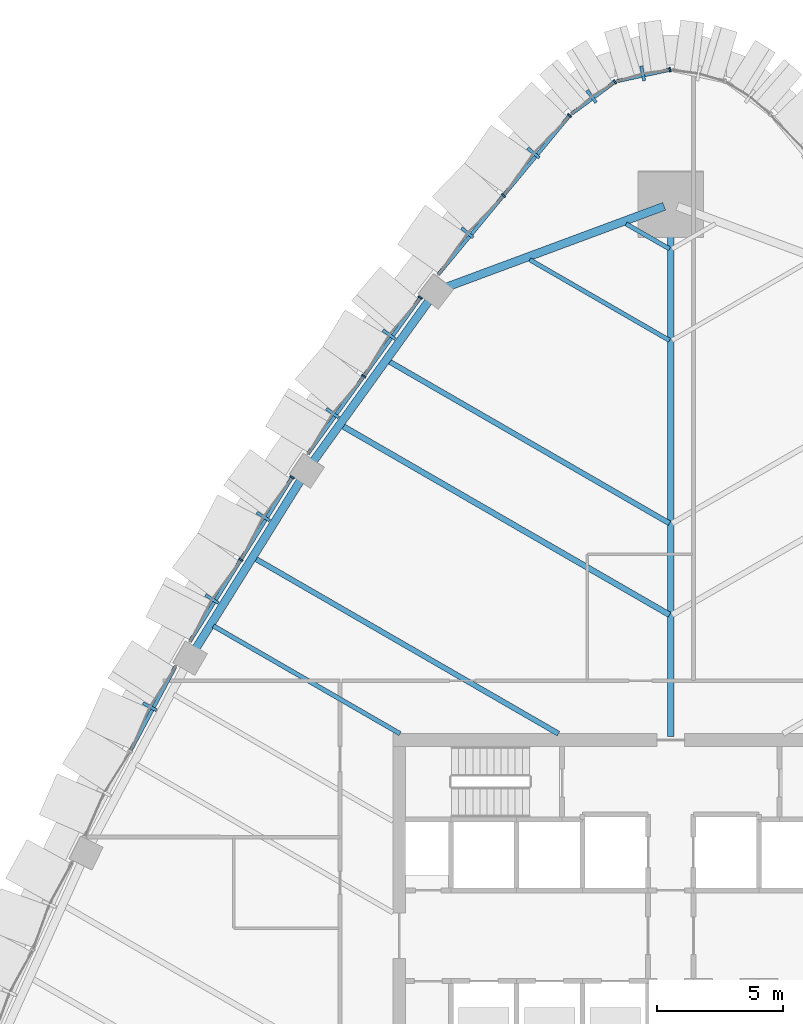
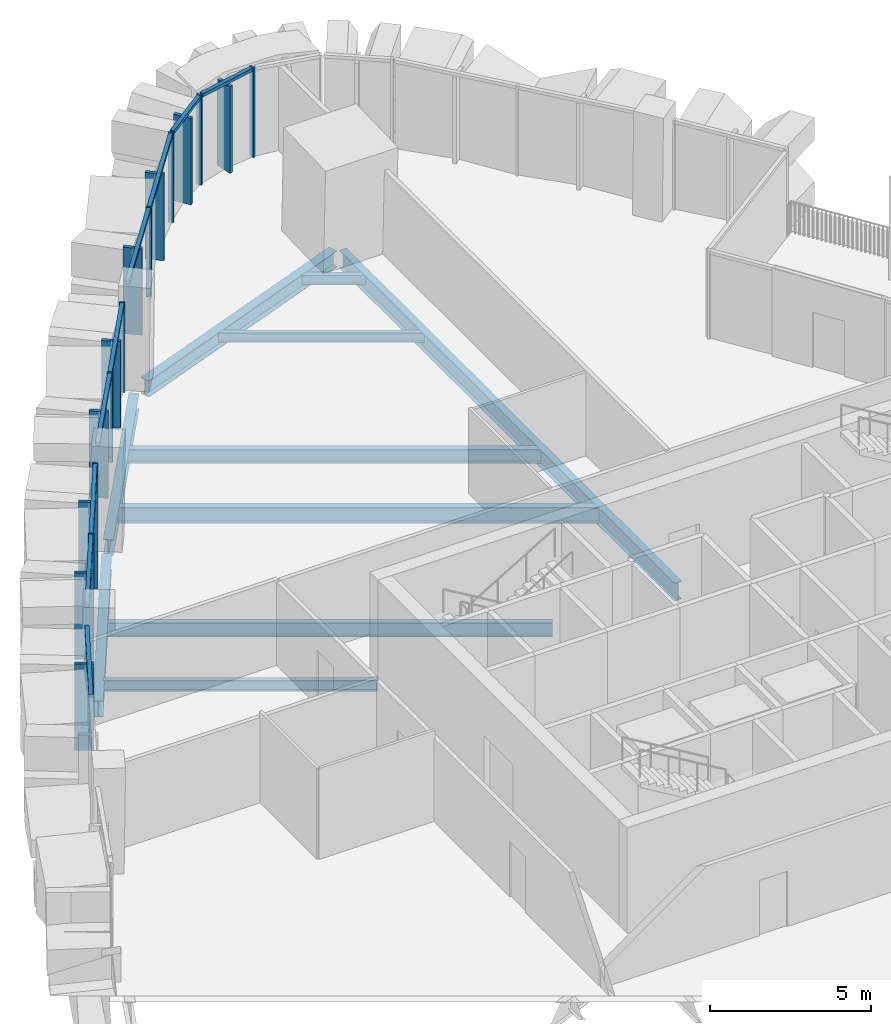
# One storey, part 6 of 20: 26 members, 10 beams, 6 elements without a shape of their own.
"""IFC4 building model written with IfcOpenShell, lengths in metres."""

import ifcopenshell
import ifcopenshell.guid

model = None  # the IFC model being written
_history = None  # IfcOwnerHistory: only IFC2X3 demands one
_inside = {}  # id of a spatial element -> (the spatial element, [elements in it])
_under = {}  # id of a project, library or spatial element -> (it, [spatial elements below it])
_declared = {}  # id of a project -> (the project, [libraries it declares])
_typed = {}  # id of a type object -> (the type object, [elements of that type])
_made_of = {}  # id of a material, layer set ... -> (it, [elements and type objects made of it])


def new_model(schema):
    """Start an empty IFC model of exactly this schema.

    Asked for "IFC4X3", IfcOpenShell would pick the latest addendum, in which some entities
    have other attributes; the version numbers below select the first issue.
    IFC2X3 requires an IfcOwnerHistory on every rooted entity: one is made here for all.
    """
    global model, _history
    if schema == "IFC4X3":
        model = ifcopenshell.file(schema_version=(4, 3, 0, 0))
    else:
        model = ifcopenshell.file(schema=schema)
    _inside.clear()
    _under.clear()
    _declared.clear()
    _typed.clear()
    _made_of.clear()
    _history = None
    if model.schema == "IFC2X3":
        org = make("IfcOrganization", Name="unknown")
        user = make(
            "IfcPersonAndOrganization",
            ThePerson=make("IfcPerson", FamilyName="unknown"),
            TheOrganization=org,
        )
        app = make(
            "IfcApplication",
            ApplicationDeveloper=org,
            Version="unknown",
            ApplicationFullName="unknown",
            ApplicationIdentifier="unknown",
        )
        _history = make(
            "IfcOwnerHistory",
            OwningUser=user,
            OwningApplication=app,
            ChangeAction="ADDED",
            CreationDate=0,
        )
    return model


def make(cls, **values):
    """One entity of the class cls with the attributes given. An attribute that is None is left unset."""
    return model.create_entity(
        cls, **{name: value for name, value in values.items() if value is not None}
    )


def rooted(cls, **values):
    """An entity with a GlobalId (a new one), such as an element, a storey or a relation."""
    return make(cls, GlobalId=ifcopenshell.guid.new(), OwnerHistory=_history, **values)


def si_unit(unit_type, name, prefix=None):
    """IfcSIUnit, for example si_unit("LENGTHUNIT", "METRE", prefix="MILLI")."""
    return make("IfcSIUnit", UnitType=unit_type, Prefix=prefix, Name=name)


def assignment(units):
    """IfcUnitAssignment: the units of a project."""
    return None if units is None else make("IfcUnitAssignment", Units=units)


def point(xyz):
    """IfcCartesianPoint."""
    return None if xyz is None else make("IfcCartesianPoint", Coordinates=xyz)


def direction(xyz):
    """IfcDirection."""
    return None if xyz is None else make("IfcDirection", DirectionRatios=xyz)


def frame(location, z_axis=None, x_axis=None):
    """IfcAxis2Placement3D, a coordinate frame: its origin and axes. An axis left out is left unset."""
    return make(
        "IfcAxis2Placement3D",
        Location=point(location),
        Axis=direction(z_axis),
        RefDirection=direction(x_axis),
    )


def frame_2d(location, x_axis=None):
    """IfcAxis2Placement2D, a coordinate frame in the plane: its origin and x axis."""
    return make(
        "IfcAxis2Placement2D", Location=point(location), RefDirection=direction(x_axis)
    )


def origin():
    """The frame at (0, 0, 0) with its axes left unset."""
    return frame((0.0, 0.0, 0.0))


def origin_2d():
    """The frame at (0, 0) in the plane with its x axis left unset."""
    return frame_2d((0.0, 0.0))


def place(relative_to, where):
    """IfcLocalPlacement: puts the frame where relative to a parent placement (None: the world)."""
    return make(
        "IfcLocalPlacement", PlacementRelTo=relative_to, RelativePlacement=where
    )


def context(
    kind, dimensions, precision=None, world=None, true_north=None, identifier=None
):
    """IfcGeometricRepresentationContext, for example the 3D "Model" context."""
    return make(
        "IfcGeometricRepresentationContext",
        ContextIdentifier=identifier,
        ContextType=kind,
        CoordinateSpaceDimension=dimensions,
        Precision=precision,
        WorldCoordinateSystem=world,
        TrueNorth=true_north,
    )


def subcontext(parent, identifier, kind, view, scale=None):
    """IfcGeometricRepresentationSubContext, for example "Body" below "Model"."""
    return make(
        "IfcGeometricRepresentationSubContext",
        ContextIdentifier=identifier,
        ContextType=kind,
        ParentContext=parent,
        TargetScale=scale,
        TargetView=view,
    )


def project(units=None, contexts=None):
    """IfcProject with its units and contexts."""
    return rooted(
        "IfcProject",
        Name="project",
        RepresentationContexts=contexts,
        UnitsInContext=assignment(units),
    )


def spatial(cls, under=None, at=None, **own):
    """A site, building, storey or space (cls), placed at a placement, below another one or the project."""
    s = rooted(cls, ObjectPlacement=at, **own)
    if under is not None:
        _under.setdefault(under.id(), (under, []))[1].append(s)
    return s


def profile(cls, at=None, kind="AREA", **sizes):
    """A parametric profile (cls). Its sizes go by their IFC names, for example OverallWidth=200.0."""
    return make(cls, ProfileType=kind, Position=at, **sizes)


def rectangle(**sizes):
    """IfcRectangleProfileDef."""
    return profile("IfcRectangleProfileDef", **sizes)


def i_section(**sizes):
    """IfcIShapeProfileDef."""
    return profile("IfcIShapeProfileDef", **sizes)


def extrude(swept, where, along, depth):
    """IfcExtrudedAreaSolid: the profile swept, set in the frame where, extruded along a direction by depth."""
    return make(
        "IfcExtrudedAreaSolid",
        SweptArea=swept,
        Position=where,
        ExtrudedDirection=direction(along),
        Depth=depth,
    )


def shape(context_of_items, identifier, shape_type, items):
    """IfcShapeRepresentation: the items that make up one representation, for example the "Body"."""
    return make(
        "IfcShapeRepresentation",
        ContextOfItems=context_of_items,
        RepresentationIdentifier=identifier,
        RepresentationType=shape_type,
        Items=items,
    )


def material(Name=None, Category=None):
    """IfcMaterial."""
    return make("IfcMaterial", Name=Name, Category=Category)


def layer(
    of_material, thickness, ventilated=None, Name=None, Category=None, Priority=None
):
    """IfcMaterialLayer: one layer of a wall or slab, of a material (None: an air gap)."""
    return make(
        "IfcMaterialLayer",
        Material=of_material,
        LayerThickness=thickness,
        IsVentilated=ventilated,
        Name=Name,
        Category=Category,
        Priority=Priority,
    )


def layer_set(layers, Name=None):
    """IfcMaterialLayerSet."""
    return make("IfcMaterialLayerSet", MaterialLayers=layers, LayerSetName=Name)


def material_profile(
    of_material, cross_section, Name=None, Category=None, Priority=None
):
    """IfcMaterialProfile: a cross section and its material."""
    return make(
        "IfcMaterialProfile",
        Name=Name,
        Material=of_material,
        Profile=cross_section,
        Priority=Priority,
        Category=Category,
    )


def profile_set(profiles, Name=None, composite=None):
    """IfcMaterialProfileSet."""
    return make(
        "IfcMaterialProfileSet",
        Name=Name,
        MaterialProfiles=profiles,
        CompositeProfile=composite,
    )


def made_of(thing, what):
    """Note that an element or type object is made of a material, layer set ...; save() writes the relation."""
    if what is not None:
        _made_of.setdefault(what.id(), (what, []))[1].append(thing)
    return thing


def type_object(cls, material=None, **own):
    """A type object (cls), such as IfcWallType, which elements share."""
    return made_of(rooted(cls, **own), material)


def element(
    cls,
    number,
    at=None,
    inside=None,
    cuts=None,
    type_object=None,
    material=None,
    context=None,
    identifier="Body",
    shape_type=None,
    held_by="IfcProductDefinitionShape",
    body=None,
    shapes=None,
    **own,
):
    """One element of the class cls, such as IfcWall. Its Tag is "e" and its number.

    at: its placement. inside: the storey or other place that contains it. cuts: it is an
    opening in that element (IfcRelVoidsElement). A single representation is given by context,
    identifier, shape_type and body (its items); several are given by shapes. held_by: the class
    of the entity that holds the representations. save() writes the other relations.
    """
    e = rooted(cls, Tag="e%d" % number, ObjectPlacement=at, **own)
    if body is not None:
        shapes = [shape(context, identifier, shape_type, body)]
    if shapes is not None:
        e.Representation = make(held_by, Representations=shapes)
    if inside is not None:
        _inside.setdefault(inside.id(), (inside, []))[1].append(e)
    if cuts is not None:
        rooted(
            "IfcRelVoidsElement", RelatingBuildingElement=cuts, RelatedOpeningElement=e
        )
    if type_object is not None:
        _typed.setdefault(type_object.id(), (type_object, []))[1].append(e)
    return made_of(e, material)


def aggregate(whole, parts):
    """IfcRelAggregates: a whole, such as a stair, and the parts it consists of."""
    return rooted("IfcRelAggregates", RelatingObject=whole, RelatedObjects=parts)


def save(model, path):
    """Write the relations noted so far, then the file.

    IfcRelAggregates (storeys below a building ...), IfcRelContainedInSpatialStructure (elements
    in a storey), IfcRelDefinesByType, IfcRelAssociatesMaterial and IfcRelDeclares: one each for
    every whole, place, type object, material and project.
    """
    for whole, parts in _under.values():
        aggregate(whole, parts)
    for where, things in _inside.values():
        rooted(
            "IfcRelContainedInSpatialStructure",
            RelatedElements=things,
            RelatingStructure=where,
        )
    for kind, things in _typed.values():
        rooted("IfcRelDefinesByType", RelatedObjects=things, RelatingType=kind)
    for what, things in _made_of.values():
        rooted("IfcRelAssociatesMaterial", RelatedObjects=things, RelatingMaterial=what)
    for by, libraries in _declared.values():
        rooted("IfcRelDeclares", RelatingContext=by, RelatedDefinitions=libraries)
    model.write(path)


model = new_model("IFC4")

# Units and contexts
model_context = context("Model", 3, precision=1e-05, world=origin(), true_north=direction((0.0, 1.0)))
body_context = subcontext(model_context, "Body", "Model", "MODEL_VIEW")
ifc_project = project(units=[si_unit("LENGTHUNIT", "METRE"), si_unit("AREAUNIT", "SQUARE_METRE"), si_unit("VOLUMEUNIT", "CUBIC_METRE"), si_unit("PLANEANGLEUNIT", "RADIAN"), si_unit("MASSUNIT", "GRAM", prefix="KILO")], contexts=[model_context])

# Site, building, storey
site_placement = place(None, origin())
site = spatial("IfcSite", under=ifc_project, at=site_placement, CompositionType="ELEMENT")
building_placement = place(site_placement, origin())
building = spatial("IfcBuilding", under=site, at=building_placement, Name="Sierra Prisma Convention Tower", CompositionType="ELEMENT")
storey_placement = place(building_placement, frame((0.0, 0.0, 125.800048828125)))
storey = spatial("IfcBuildingStorey", under=building, at=storey_placement, Name="L26", CompositionType="ELEMENT", Elevation=125.800048828125)

# Curtain wall, member
ifc_material_1 = material(Name="Aluminium and glass curtain wall", Category="aluminium")
ifc_layer = layer(ifc_material_1, 0.179931640625)
ifc_layer_set = layer_set([ifc_layer], Name="CW-2 Faceted crystal curtain wall")
curtain_wall_type = type_object("IfcCurtainWallType", Name="CW-2 Faceted crystal curtain wall", PredefinedType="NOTDEFINED", material=ifc_layer_set)
curtain_wall_1_placement = place(storey_placement, origin())
curtain_wall_1 = element("IfcCurtainWall", 1, at=curtain_wall_1_placement, inside=storey, type_object=curtain_wall_type, Name="CW-2 N3 L26", PredefinedType="NOTDEFINED")
ifc_material_2 = material(Name="Aluminium 6063-T6 bronze anodised", Category="aluminium")
ifc_material_profile_1 = material_profile(ifc_material_2, rectangle(XDim=0.1201171875, YDim=0.60009765625, at=origin_2d()), Name="ALU RIDGE BLADE 120x600")
ifc_profile_set_1 = profile_set([ifc_material_profile_1], Name="Aluminium 6063-T6 bronze anodised")
member_type_1 = type_object("IfcMemberType", Name="CW hip bronze", PredefinedType="MULLION", material=ifc_profile_set_1)
member_1_placement = place(storey_placement, frame((-1.1103515625, 34.145263671875, 0.0), z_axis=(0.0, 0.0, 1.0), x_axis=(-0.977684252686, -0.21007975164, 0.0)))
member_1 = element("IfcMember", 2, at=member_1_placement, type_object=member_type_1, Name="CW-2 ridge N3.1", PredefinedType="MULLION", context=body_context, shape_type="SweptSolid", body=[
    extrude(rectangle(XDim=0.1201171875, YDim=0.60009765625, at=origin_2d()), origin(), (0.0, 0.0, 1.0), 3.280029296875),
])

curtain_wall_2_placement = place(storey_placement, origin())
curtain_wall_2 = element("IfcCurtainWall", 3, at=curtain_wall_2_placement, inside=storey, type_object=curtain_wall_type, Name="CW-2 N4 L26", PredefinedType="NOTDEFINED")
member_2_placement = place(storey_placement, frame((-3.135009765625, 33.233154296875, 0.0), z_axis=(0.0, 0.0, 1.0), x_axis=(-0.805089732799, -0.593153034336, 0.0)))
member_2 = element("IfcMember", 4, at=member_2_placement, type_object=member_type_1, Name="CW-2 ridge N4.1", PredefinedType="MULLION", context=body_context, shape_type="SweptSolid", body=[
    extrude(rectangle(XDim=0.1201171875, YDim=0.60009765625, at=origin_2d()), origin(), (0.0, 0.0, 1.0), 3.280029296875),
])

# Curtain wall, members
curtain_wall_3_placement = place(storey_placement, origin())
curtain_wall_3 = element("IfcCurtainWall", 5, at=curtain_wall_3_placement, inside=storey, type_object=curtain_wall_type, Name="CW-2 NW1 L26", PredefinedType="NOTDEFINED")
member_3_placement = place(storey_placement, frame((-5.437744140625, 30.99658203125, 0.0), z_axis=(0.0, 0.0, 1.0), x_axis=(-0.637108987456, -0.770773726915, 0.0)))
member_3 = element("IfcMember", 6, at=member_3_placement, type_object=member_type_1, Name="CW-2 ridge NW1.1", PredefinedType="MULLION", context=body_context, shape_type="SweptSolid", body=[
    extrude(rectangle(XDim=0.1201171875, YDim=0.60009765625, at=origin_2d()), origin(), (0.0, 0.0, 1.0), 3.280029296875),
])
member_4_placement = place(storey_placement, frame((-8.051513671875, 27.834228515625, 0.0), z_axis=(0.0, 0.0, 1.0), x_axis=(-0.637108987456, -0.770773726915, 0.0)))
member_4 = element("IfcMember", 7, at=member_4_placement, type_object=member_type_1, Name="CW-2 ridge NW1.2", PredefinedType="MULLION", context=body_context, shape_type="SweptSolid", body=[
    extrude(rectangle(XDim=0.1201171875, YDim=0.60009765625, at=origin_2d()), origin(), (0.0, 0.0, 1.0), 3.280029296875),
])

curtain_wall_4_placement = place(storey_placement, origin())
curtain_wall_4 = element("IfcCurtainWall", 8, at=curtain_wall_4_placement, inside=storey, type_object=curtain_wall_type, Name="CW-2 NW2 L26", PredefinedType="NOTDEFINED")
member_5_placement = place(storey_placement, frame((-11.15478515625, 23.80078125, 0.0), z_axis=(0.0, 0.0, 1.0), x_axis=(-0.584192270918, -0.811615297169, 0.0)))
member_5 = element("IfcMember", 9, at=member_5_placement, type_object=member_type_1, Name="CW-2 ridge NW2.1", PredefinedType="MULLION", context=body_context, shape_type="SweptSolid", body=[
    extrude(rectangle(XDim=0.1201171875, YDim=0.60009765625, at=origin_2d()), origin(), (0.0, 0.0, 1.0), 3.280029296875),
])
member_6_placement = place(storey_placement, frame((-13.392578125, 20.692138671875, 0.0), z_axis=(0.0, 0.0, 1.0), x_axis=(-0.584192270918, -0.811615297169, 0.0)))
member_6 = element("IfcMember", 10, at=member_6_placement, type_object=member_type_1, Name="CW-2 ridge NW2.2", PredefinedType="MULLION", context=body_context, shape_type="SweptSolid", body=[
    extrude(rectangle(XDim=0.1201171875, YDim=0.60009765625, at=origin_2d()), origin(), (0.0, 0.0, 1.0), 3.280029296875),
])

curtain_wall_5_placement = place(storey_placement, origin())
curtain_wall_5 = element("IfcCurtainWall", 11, at=curtain_wall_5_placement, inside=storey, type_object=curtain_wall_type, Name="CW-2 NW3 L26", PredefinedType="NOTDEFINED")
member_7_placement = place(storey_placement, frame((-16.13623046875, 16.59814453125, 0.0), z_axis=(0.0, 0.0, 1.0), x_axis=(-0.528665259042, -0.848830397595, 0.0)))
member_7 = element("IfcMember", 12, at=member_7_placement, type_object=member_type_1, Name="CW-2 ridge NW3.1", PredefinedType="MULLION", context=body_context, shape_type="SweptSolid", body=[
    extrude(rectangle(XDim=0.1201171875, YDim=0.60009765625, at=origin_2d()), origin(), (0.0, 0.0, 1.0), 3.280029296875),
])
member_8_placement = place(storey_placement, frame((-18.169921875, 13.3330078125, 0.0), z_axis=(0.0, 0.0, 1.0), x_axis=(-0.528665259042, -0.848830397595, 0.0)))
member_8 = element("IfcMember", 13, at=member_8_placement, type_object=member_type_1, Name="CW-2 ridge NW3.2", PredefinedType="MULLION", context=body_context, shape_type="SweptSolid", body=[
    extrude(rectangle(XDim=0.1201171875, YDim=0.60009765625, at=origin_2d()), origin(), (0.0, 0.0, 1.0), 3.280029296875),
])

# Curtain wall, member
curtain_wall_6_placement = place(storey_placement, origin())
curtain_wall_6 = element("IfcCurtainWall", 14, at=curtain_wall_6_placement, inside=storey, type_object=curtain_wall_type, Name="CW-2 NW4 L26", PredefinedType="NOTDEFINED")
member_9_placement = place(storey_placement, frame((-20.631591796875, 9.069091796875, 0.0), z_axis=(0.0, 0.0, 1.0), x_axis=(-0.470776058301, -0.882252743227, 0.0)))
member_9 = element("IfcMember", 15, at=member_9_placement, type_object=member_type_1, Name="CW-2 ridge NW4.1", PredefinedType="MULLION", context=body_context, shape_type="SweptSolid", body=[
    extrude(rectangle(XDim=0.1201171875, YDim=0.60009765625, at=origin_2d()), origin(), (0.0, 0.0, 1.0), 3.280029296875),
])

# Member
ifc_material_3 = material(Name="Aluminium 6063-T6 bronze anodised", Category="aluminium")
ifc_material_profile_2 = material_profile(ifc_material_3, rectangle(XDim=0.179931640625, YDim=0.070068359375, at=origin_2d()), Name="ALU MULLION 70x180")
ifc_profile_set_2 = profile_set([ifc_material_profile_2], Name="Aluminium 6063-T6 bronze anodised")
member_type_2 = type_object("IfcMemberType", Name="CW mullion bronze", PredefinedType="MULLION", material=ifc_profile_set_2)
member_10_placement = place(storey_placement, frame((-0.0341796875, 34.292236328125, 0.0), z_axis=(0.0, 0.0, 1.0), x_axis=(0.21007975164, -0.977684252686, 0.0)))
member_10 = element("IfcMember", 16, at=member_10_placement, type_object=member_type_2, Name="CW-1 mullion N3.1", PredefinedType="MULLION", context=body_context, shape_type="SweptSolid", body=[
    extrude(rectangle(XDim=0.179931640625, YDim=0.070068359375, at=origin_2d()), origin(), (0.0, 0.0, 1.0), 3.39990234375),
])

member_11_placement = place(storey_placement, frame((-2.214111328125, 33.80908203125, 0.0), z_axis=(0.0, 0.0, 1.0), x_axis=(0.593153034336, -0.805089732799, 0.0)))
member_11 = element("IfcMember", 17, at=member_11_placement, type_object=member_type_2, Name="CW-1 mullion N4.1", PredefinedType="MULLION", context=body_context, shape_type="SweptSolid", body=[
    extrude(rectangle(XDim=0.179931640625, YDim=0.070068359375, at=origin_2d()), origin(), (0.0, 0.0, 1.0), 3.39990234375),
])

member_12_placement = place(storey_placement, frame((-4.00830078125, 32.4765625, 0.0), z_axis=(0.0, 0.0, 1.0), x_axis=(0.770773726915, -0.637108987456, 0.0)))
member_12 = element("IfcMember", 18, at=member_12_placement, type_object=member_type_2, Name="CW-1 mullion NW1.1", PredefinedType="MULLION", context=body_context, shape_type="SweptSolid", body=[
    extrude(rectangle(XDim=0.179931640625, YDim=0.070068359375, at=origin_2d()), origin(), (0.0, 0.0, 1.0), 3.39990234375),
])

member_13_placement = place(storey_placement, frame((-6.622314453125, 29.314208984375, 0.0), z_axis=(0.0, 0.0, 1.0), x_axis=(0.770773726915, -0.637108987456, 0.0)))
member_13 = element("IfcMember", 19, at=member_13_placement, type_object=member_type_2, Name="CW-1 mullion NW1.2", PredefinedType="MULLION", context=body_context, shape_type="SweptSolid", body=[
    extrude(rectangle(XDim=0.179931640625, YDim=0.070068359375, at=origin_2d()), origin(), (0.0, 0.0, 1.0), 3.39990234375),
])

member_14_placement = place(storey_placement, frame((-9.916015625, 25.268798828125, 0.0), z_axis=(0.0, 0.0, 1.0), x_axis=(0.811615297169, -0.584192270918, 0.0)))
member_14 = element("IfcMember", 20, at=member_14_placement, type_object=member_type_2, Name="CW-1 mullion NW2.1", PredefinedType="MULLION", context=body_context, shape_type="SweptSolid", body=[
    extrude(rectangle(XDim=0.179931640625, YDim=0.070068359375, at=origin_2d()), origin(), (0.0, 0.0, 1.0), 3.39990234375),
])

member_15_placement = place(storey_placement, frame((-12.153564453125, 22.159912109375, 0.0), z_axis=(0.0, 0.0, 1.0), x_axis=(0.811615297169, -0.584192270918, 0.0)))
member_15 = element("IfcMember", 21, at=member_15_placement, type_object=member_type_2, Name="CW-1 mullion NW2.2", PredefinedType="MULLION", context=body_context, shape_type="SweptSolid", body=[
    extrude(rectangle(XDim=0.179931640625, YDim=0.070068359375, at=origin_2d()), origin(), (0.0, 0.0, 1.0), 3.39990234375),
])

member_16_placement = place(storey_placement, frame((-14.993408203125, 18.152099609375, 0.0), z_axis=(0.0, 0.0, 1.0), x_axis=(0.848830397595, -0.528665259042, 0.0)))
member_16 = element("IfcMember", 22, at=member_16_placement, type_object=member_type_2, Name="CW-1 mullion NW3.1", PredefinedType="MULLION", context=body_context, shape_type="SweptSolid", body=[
    extrude(rectangle(XDim=0.179931640625, YDim=0.070068359375, at=origin_2d()), origin(), (0.0, 0.0, 1.0), 3.39990234375),
])

member_17_placement = place(storey_placement, frame((-17.02685546875, 14.886962890625, 0.0), z_axis=(0.0, 0.0, 1.0), x_axis=(0.848830397595, -0.528665259042, 0.0)))
member_17 = element("IfcMember", 23, at=member_17_placement, type_object=member_type_2, Name="CW-1 mullion NW3.2", PredefinedType="MULLION", context=body_context, shape_type="SweptSolid", body=[
    extrude(rectangle(XDim=0.179931640625, YDim=0.070068359375, at=origin_2d()), origin(), (0.0, 0.0, 1.0), 3.39990234375),
])

ifc_material_4 = material(Name="Aluminium 6063-T6 bronze anodised", Category="aluminium")
ifc_material_profile_3 = material_profile(ifc_material_4, rectangle(XDim=0.139892578125, YDim=0.1201171875, at=origin_2d()), Name="ALU TRANSOM 120x140")
ifc_profile_set_3 = profile_set([ifc_material_profile_3], Name="Aluminium 6063-T6 bronze anodised")
member_type_3 = type_object("IfcMemberType", Name="CW transom bronze", PredefinedType="USERDEFINED", material=ifc_profile_set_3)
member_18_placement = place(storey_placement, frame((-0.068359375, 34.284912109375, 3.33984375), z_axis=(-0.977670961844, -0.210141595993, 0.0), x_axis=(0.210141595993, -0.977670961844, 0.0)))
member_18 = element("IfcMember", 24, at=member_18_placement, type_object=member_type_3, Name="CW-1 transom N3.1", ObjectType="TRANSOM", PredefinedType="USERDEFINED", context=body_context, shape_type="SweptSolid", body=[
    extrude(rectangle(XDim=0.139892578125, YDim=0.1201171875, at=origin_2d()), origin(), (0.0, 0.0, 1.0), 2.095947265625),
])

aggregate(curtain_wall_1, [member_10, member_18, member_1])

member_19_placement = place(storey_placement, frame((-2.242431640625, 33.788330078125, 3.33984375), z_axis=(-0.805073404853, -0.593175195704, 0.0), x_axis=(0.593175195704, -0.805073404853, 0.0)))
member_19 = element("IfcMember", 25, at=member_19_placement, type_object=member_type_3, Name="CW-1 transom N4.1", ObjectType="TRANSOM", PredefinedType="USERDEFINED", context=body_context, shape_type="SweptSolid", body=[
    extrude(rectangle(XDim=0.139892578125, YDim=0.1201171875, at=origin_2d()), origin(), (0.0, 0.0, 1.0), 2.095703125),
])

aggregate(curtain_wall_2, [member_11, member_19, member_2])

member_20_placement = place(storey_placement, frame((-4.030517578125, 32.44970703125, 3.33984375), z_axis=(-0.637142668, -0.770745885888, 0.0), x_axis=(0.770745885888, -0.637142668, 0.0)))
member_20 = element("IfcMember", 26, at=member_20_placement, type_object=member_type_3, Name="CW-1 transom NW1.1", ObjectType="TRANSOM", PredefinedType="USERDEFINED", context=body_context, shape_type="SweptSolid", body=[
    extrude(rectangle(XDim=0.139892578125, YDim=0.1201171875, at=origin_2d()), origin(), (0.0, 0.0, 1.0), 4.032958984375),
])

member_21_placement = place(storey_placement, frame((-6.64453125, 29.287353515625, 3.33984375), z_axis=(-0.637106704484, -0.770775613977, 0.0), x_axis=(0.770775613977, -0.637106704484, 0.0)))
member_21 = element("IfcMember", 27, at=member_21_placement, type_object=member_type_3, Name="CW-1 transom NW1.2", ObjectType="TRANSOM", PredefinedType="USERDEFINED", context=body_context, shape_type="SweptSolid", body=[
    extrude(rectangle(XDim=0.139892578125, YDim=0.1201171875, at=origin_2d()), origin(), (0.0, 0.0, 1.0), 4.03271484375),
])

aggregate(curtain_wall_3, [member_12, member_13, member_20, member_3, member_21, member_4])

member_22_placement = place(storey_placement, frame((-9.9365234375, 25.240478515625, 3.33984375), z_axis=(-0.584188417181, -0.811618071036, 0.0), x_axis=(0.811618071036, -0.584188417181, 0.0)))
member_22 = element("IfcMember", 28, at=member_22_placement, type_object=member_type_3, Name="CW-1 transom NW2.1", ObjectType="TRANSOM", PredefinedType="USERDEFINED", context=body_context, shape_type="SweptSolid", body=[
    extrude(rectangle(XDim=0.139892578125, YDim=0.1201171875, at=origin_2d()), origin(), (0.0, 0.0, 1.0), 3.760498046875),
])

member_23_placement = place(storey_placement, frame((-12.174072265625, 22.131591796875, 3.33984375), z_axis=(-0.584188417181, -0.811618071036, 0.0), x_axis=(0.811618071036, -0.584188417181, 0.0)))
member_23 = element("IfcMember", 29, at=member_23_placement, type_object=member_type_3, Name="CW-1 transom NW2.2", ObjectType="TRANSOM", PredefinedType="USERDEFINED", context=body_context, shape_type="SweptSolid", body=[
    extrude(rectangle(XDim=0.139892578125, YDim=0.1201171875, at=origin_2d()), origin(), (0.0, 0.0, 1.0), 3.760498046875),
])

aggregate(curtain_wall_4, [member_14, member_15, member_22, member_5, member_23, member_6])

member_24_placement = place(storey_placement, frame((-15.011962890625, 18.122314453125, 3.33984375), z_axis=(-0.52868502143, -0.848818088942, 0.0), x_axis=(0.848818088942, -0.52868502143, 0.0)))
member_24 = element("IfcMember", 30, at=member_24_placement, type_object=member_type_3, Name="CW-1 transom NW3.1", ObjectType="TRANSOM", PredefinedType="USERDEFINED", context=body_context, shape_type="SweptSolid", body=[
    extrude(rectangle(XDim=0.139892578125, YDim=0.1201171875, at=origin_2d()), origin(), (0.0, 0.0, 1.0), 3.776611328125),
])

member_25_placement = place(storey_placement, frame((-17.04541015625, 14.857421875, 3.33984375), z_axis=(-0.528656011791, -0.848836156863, 0.0), x_axis=(0.848836156863, -0.528656011791, 0.0)))
member_25 = element("IfcMember", 31, at=member_25_placement, type_object=member_type_3, Name="CW-1 transom NW3.2", ObjectType="TRANSOM", PredefinedType="USERDEFINED", context=body_context, shape_type="SweptSolid", body=[
    extrude(rectangle(XDim=0.139892578125, YDim=0.1201171875, at=origin_2d()), origin(), (0.0, 0.0, 1.0), 3.776611328125),
])

aggregate(curtain_wall_5, [member_16, member_17, member_24, member_7, member_25, member_8])

member_26_placement = place(storey_placement, frame((-19.611572265625, 10.6650390625, 3.33984375), z_axis=(-0.470792887283, -0.882243762961, 0.0), x_axis=(0.882243762961, -0.470792887283, 0.0)))
member_26 = element("IfcMember", 32, at=member_26_placement, type_object=member_type_3, Name="CW-1 transom NW4.1", ObjectType="TRANSOM", PredefinedType="USERDEFINED", context=body_context, shape_type="SweptSolid", body=[
    extrude(rectangle(XDim=0.139892578125, YDim=0.1201171875, at=origin_2d()), origin(), (0.0, 0.0, 1.0), 3.77685546875),
])

aggregate(curtain_wall_6, [member_26, member_9])

# Beams
ifc_material_5 = material(Name="Steel ASTM A992 Gr 50", Category="steel")
ifc_material_profile_4 = material_profile(ifc_material_5, i_section(OverallWidth=0.172119140625, OverallDepth=0.35791015625, WebThickness=0.0078125, FlangeThickness=0.01318359375, at=origin_2d()), Name="W360x57")
ifc_profile_set_4 = profile_set([ifc_material_profile_4], Name="Steel ASTM A992 Gr 50")
beam_type_1 = type_object("IfcBeamType", Name="Floor joist W360x57", PredefinedType="JOIST", material=ifc_profile_set_4)
beam_1_placement = place(storey_placement, frame((-1.769775390625, 28.188720703125, -0.3291015625), z_axis=(0.866031967744, -0.499988630717, 0.0), x_axis=(0.499988630717, 0.866031967744, 0.0)))
element("IfcBeam", 33, at=beam_1_placement, inside=storey, type_object=beam_type_1, Name="Floor joist L26 NW01", PredefinedType="JOIST", context=body_context, shape_type="SweptSolid", body=[
    extrude(i_section(OverallWidth=0.172119140625, OverallDepth=0.35791015625, WebThickness=0.0078125, FlangeThickness=0.01318359375, at=origin_2d()), origin(), (0.0, 0.0, 1.0), 1.98486328125),
])
beam_2_placement = place(storey_placement, frame((-5.588623046875, 26.771240234375, -0.3291015625), z_axis=(0.866026001523, -0.499998964685, 0.0), x_axis=(0.499998964685, 0.866026001523, 0.0)))
element("IfcBeam", 34, at=beam_2_placement, inside=storey, type_object=beam_type_1, Name="Floor joist L26 NW02", PredefinedType="JOIST", context=body_context, shape_type="SweptSolid", body=[
    extrude(i_section(OverallWidth=0.172119140625, OverallDepth=0.35791015625, WebThickness=0.0078125, FlangeThickness=0.01318359375, at=origin_2d()), origin(), (0.0, 0.0, 1.0), 6.39453125),
])
ifc_material_6 = material(Name="Steel ASTM A992 Gr 50", Category="steel")
ifc_material_profile_5 = material_profile(ifc_material_6, i_section(OverallWidth=0.177978515625, OverallDepth=0.406982421875, WebThickness=0.0078125, FlangeThickness=0.0126953125, at=origin_2d()), Name="W410x60")
ifc_profile_set_5 = profile_set([ifc_material_profile_5], Name="Steel ASTM A992 Gr 50")
beam_type_2 = type_object("IfcBeamType", Name="Floor joist W410x60", PredefinedType="JOIST", material=ifc_profile_set_5)
beam_3_placement = place(storey_placement, frame((-18.113037109375, 12.268798828125, -0.353515625), z_axis=(0.866018909639, -0.50001124802, 0.0), x_axis=(0.50001124802, 0.866018909639, 0.0)))
element("IfcBeam", 35, at=beam_3_placement, inside=storey, type_object=beam_type_2, Name="Floor joist L26 NW08", PredefinedType="JOIST", context=body_context, shape_type="SweptSolid", body=[
    extrude(i_section(OverallWidth=0.177978515625, OverallDepth=0.406982421875, WebThickness=0.0078125, FlangeThickness=0.0126953125, at=origin_2d()), origin(), (0.0, 0.0, 1.0), 8.537353515625),
])
ifc_material_7 = material(Name="Steel ASTM A992 Gr 50", Category="steel")
ifc_material_profile_6 = material_profile(ifc_material_7, i_section(OverallWidth=0.208984375, OverallDepth=0.532958984375, WebThickness=0.01025390625, FlangeThickness=0.015625, at=origin_2d()), Name="W530x92")
ifc_profile_set_6 = profile_set([ifc_material_profile_6], Name="Steel ASTM A992 Gr 50")
beam_type_3 = type_object("IfcBeamType", Name="Floor joist W530x92", PredefinedType="JOIST", material=ifc_profile_set_6)
beam_4_placement = place(storey_placement, frame((-11.16259765625, 22.744873046875, -0.41650390625), z_axis=(0.866029689421, -0.499992576986, 0.0), x_axis=(0.499992576986, 0.866029689421, 0.0)))
element("IfcBeam", 36, at=beam_4_placement, inside=storey, type_object=beam_type_3, Name="Floor joist L26 NW04", PredefinedType="JOIST", context=body_context, shape_type="SweptSolid", body=[
    extrude(i_section(OverallWidth=0.208984375, OverallDepth=0.532958984375, WebThickness=0.01025390625, FlangeThickness=0.015625, at=origin_2d()), origin(), (0.0, 0.0, 1.0), 12.830810546875),
])
beam_5_placement = place(storey_placement, frame((-16.45361328125, 14.932861328125, -0.41650390625), z_axis=(0.866025197853, -0.500000356683, 0.0), x_axis=(0.500000356683, 0.866025197853, 0.0)))
element("IfcBeam", 37, at=beam_5_placement, inside=storey, type_object=beam_type_3, Name="Floor joist L26 NW07", PredefinedType="JOIST", context=body_context, shape_type="SweptSolid", body=[
    extrude(i_section(OverallWidth=0.208984375, OverallDepth=0.532958984375, WebThickness=0.01025390625, FlangeThickness=0.015625, at=origin_2d()), origin(), (0.0, 0.0, 1.0), 13.86572265625),
])
ifc_material_8 = material(Name="Steel ASTM A992 Gr 50", Category="steel")
ifc_material_profile_7 = material_profile(ifc_material_8, i_section(OverallWidth=0.22802734375, OverallDepth=0.60302734375, WebThickness=0.010498046875, FlangeThickness=0.014892578125, at=origin_2d()), Name="W610x101")
ifc_profile_set_7 = profile_set([ifc_material_profile_7], Name="Steel ASTM A992 Gr 50")
beam_type_4 = type_object("IfcBeamType", Name="Floor joist W610x101", PredefinedType="JOIST", material=ifc_profile_set_7)
beam_6_placement = place(storey_placement, frame((-13.00439453125, 20.18603515625, -0.45166015625), z_axis=(0.866025761289, -0.499999380783, 0.0), x_axis=(0.499999380783, 0.866025761289, 0.0)))
element("IfcBeam", 38, at=beam_6_placement, inside=storey, type_object=beam_type_4, Name="Floor joist L26 NW05", PredefinedType="JOIST", context=body_context, shape_type="SweptSolid", body=[
    extrude(i_section(OverallWidth=0.22802734375, OverallDepth=0.60302734375, WebThickness=0.010498046875, FlangeThickness=0.014892578125, at=origin_2d()), origin(), (0.0, 0.0, 1.0), 14.95751953125),
])
ifc_material_9 = material(Name="Steel ASTM A992 Gr 50", Category="steel")
ifc_material_profile_8 = material_profile(ifc_material_9, i_section(OverallWidth=0.25390625, OverallDepth=0.68408203125, WebThickness=0.012451171875, FlangeThickness=0.018798828125, at=origin_2d()), Name="W690x140")
ifc_profile_set_8 = profile_set([ifc_material_profile_8], Name="Steel ASTM A992 Gr 50")
beam_type_5 = type_object("IfcBeamType", Name="Radial girder W690x140", PredefinedType="BEAM", material=ifc_profile_set_8)
beam_7_placement = place(storey_placement, frame((0.0, 28.718017578125, -0.491943359375), z_axis=(0.0, -1.0, 0.0), x_axis=(1.0, 0.0, 0.0)))
element("IfcBeam", 39, at=beam_7_placement, inside=storey, type_object=beam_type_5, Name="Radial girder L26 N", PredefinedType="BEAM", context=body_context, shape_type="SweptSolid", body=[
    extrude(i_section(OverallWidth=0.25390625, OverallDepth=0.68408203125, WebThickness=0.012451171875, FlangeThickness=0.018798828125, at=origin_2d()), origin(), (0.0, 0.0, 1.0), 20.838134765625),
])
ifc_material_10 = material(Name="Steel ASTM A992 Gr 50", Category="steel")
ifc_material_profile_9 = material_profile(ifc_material_10, i_section(OverallWidth=0.324951171875, OverallDepth=0.615966796875, WebThickness=0.013916015625, FlangeThickness=0.021484375, at=origin_2d()), Name="W610x174")
ifc_profile_set_9 = profile_set([ifc_material_profile_9], Name="Steel ASTM A992 Gr 50")
beam_type_6 = type_object("IfcBeamType", Name="Spandrel beam W610x174", PredefinedType="BEAM", material=ifc_profile_set_9)
beam_8_placement = place(storey_placement, frame((-0.260009765625, 28.881591796875, -0.4580078125), z_axis=(-0.937485567778, -0.348024151758, 0.0), x_axis=(0.348024151758, -0.937485567778, 0.0)))
element("IfcBeam", 40, at=beam_8_placement, inside=storey, type_object=beam_type_6, Name="Spandrel L26-13", PredefinedType="BEAM", context=body_context, shape_type="SweptSolid", body=[
    extrude(i_section(OverallWidth=0.324951171875, OverallDepth=0.615966796875, WebThickness=0.013916015625, FlangeThickness=0.021484375, at=origin_2d()), origin(), (0.0, 0.0, 1.0), 9.173583984375),
])
beam_9_placement = place(storey_placement, frame((-9.522216796875, 25.217041015625, -0.4580078125), z_axis=(-0.584184809771, -0.811620667573, 0.0), x_axis=(0.811620667573, -0.584184809771, 0.0)))
element("IfcBeam", 41, at=beam_9_placement, inside=storey, type_object=beam_type_6, Name="Spandrel L26-14", PredefinedType="BEAM", context=body_context, shape_type="SweptSolid", body=[
    extrude(i_section(OverallWidth=0.324951171875, OverallDepth=0.615966796875, WebThickness=0.013916015625, FlangeThickness=0.021484375, at=origin_2d()), origin(), (0.0, 0.0, 1.0), 7.991943359375),
])
beam_10_placement = place(storey_placement, frame((-14.6142578125, 18.099365234375, -0.4580078125), z_axis=(-0.528652737995, -0.848838195777, 0.0), x_axis=(0.848838195777, -0.528652737995, 0.0)))
element("IfcBeam", 42, at=beam_10_placement, inside=storey, type_object=beam_type_6, Name="Spandrel L26-15", PredefinedType="BEAM", context=body_context, shape_type="SweptSolid", body=[
    extrude(i_section(OverallWidth=0.324951171875, OverallDepth=0.615966796875, WebThickness=0.013916015625, FlangeThickness=0.021484375, at=origin_2d()), origin(), (0.0, 0.0, 1.0), 7.99169921875),
])

save(model, "model.ifc")
